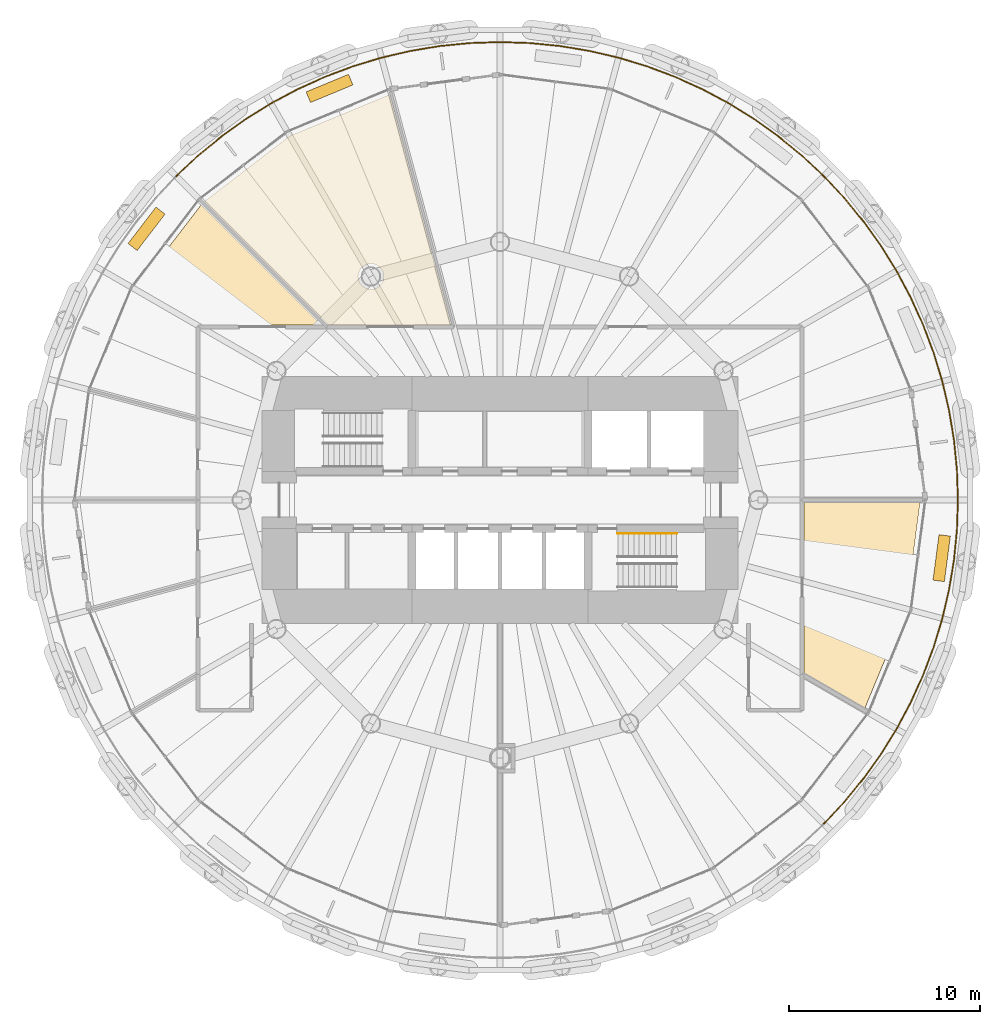
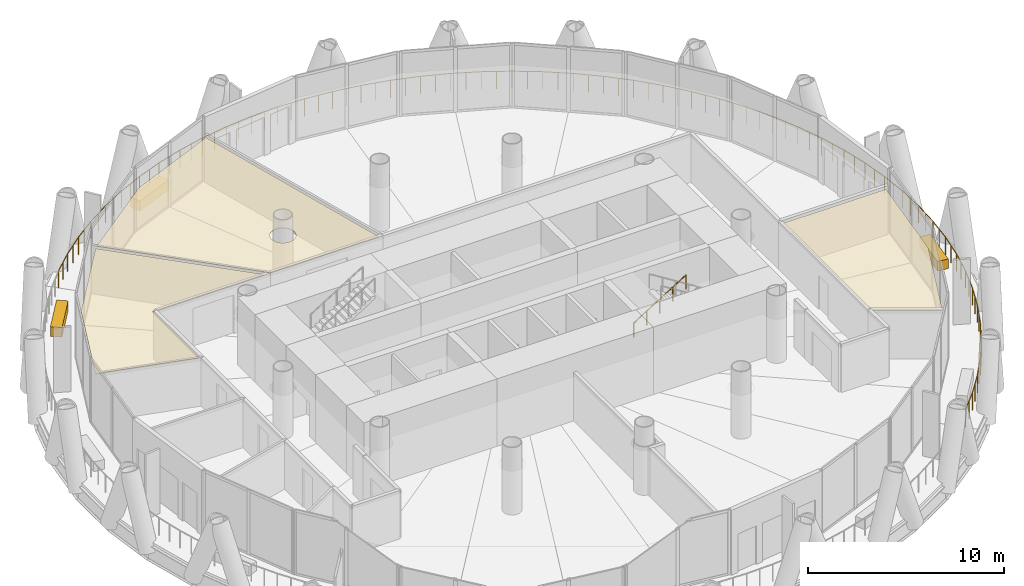
# One storey, part 14 of 15: 6 coverings, 3 railings.
"""IFC4 building model written with IfcOpenShell, lengths in metres."""

from ifc_helpers import new_model, si_unit, direction, frame, origin, origin_2d, place, context, subcontext, project, spatial, polyline, rectangle, circle, outline, extrude, material, layer, layer_set, type_object, element, save


model = new_model("IFC4")

# Units and contexts
model_context = context("Model", 3, precision=1e-05, world=origin(), true_north=direction((0.0, 1.0)))
body_context = subcontext(model_context, "Body", "Model", "MODEL_VIEW")
ifc_project = project(units=[si_unit("LENGTHUNIT", "METRE"), si_unit("AREAUNIT", "SQUARE_METRE"), si_unit("VOLUMEUNIT", "CUBIC_METRE"), si_unit("PLANEANGLEUNIT", "RADIAN"), si_unit("MASSUNIT", "GRAM", prefix="KILO")], contexts=[model_context])

# Site, building, storey
site_placement = place(None, origin())
site = spatial("IfcSite", under=ifc_project, at=site_placement, CompositionType="ELEMENT")
building_placement = place(site_placement, origin())
building = spatial("IfcBuilding", under=site, at=building_placement, Name="Qaws Media Tower", CompositionType="ELEMENT")
storey_placement = place(building_placement, frame((0.0, 0.0, 164.60009765625)))
storey = spatial("IfcBuildingStorey", under=building, at=storey_placement, Name="L37", CompositionType="ELEMENT", Elevation=164.60009765625)

# Coverings
ifc_material_1 = material(Name="40 perforated acoustic panels with mineral wool backing, suspended", Category="mineral fibre")
ifc_layer_1 = layer(ifc_material_1, 0.0400390625)
ifc_layer_set_1 = layer_set([ifc_layer_1], Name="Acoustic panel ceiling 40")
covering_type_1 = type_object("IfcCoveringType", Name="Acoustic panel ceiling 40", PredefinedType="CEILING", material=ifc_layer_set_1)
covering_1_placement = place(storey_placement, frame((0.0, 0.0, 2.849853515625)))
element("IfcCovering", 1, at=covering_1_placement, inside=storey, type_object=covering_type_1, Name="CL3 ceiling L37-03 Training room", PredefinedType="CEILING", context=body_context, shape_type="SweptSolid", body=[
    extrude(outline(polyline([(49.00732421875, 69.039794921875), (54.205078125, 71.192626953125), (57.428466796875, 59.16259765625), (50.99658203125, 59.16259765625), (44.544189453125, 65.614990234375), (49.00732421875, 69.039794921875)]), holes=[polyline([(53.8671875, 61.435791015625), (53.895263671875, 61.5185546875), (53.912353515625, 61.604248046875), (53.91796875, 61.69140625), (53.912353515625, 61.778564453125), (53.895263671875, 61.8642578125), (53.8671875, 61.947021484375), (53.82861328125, 62.025390625), (53.780029296875, 62.097900390625), (53.722412109375, 62.163818359375), (53.65673828125, 62.22119140625), (53.583984375, 62.269775390625), (53.505615234375, 62.30859375), (53.4228515625, 62.336669921875), (53.337158203125, 62.353515625), (53.25, 62.359375), (53.162841796875, 62.353515625), (53.0771484375, 62.336669921875), (52.994384765625, 62.30859375), (52.916015625, 62.269775390625), (52.84326171875, 62.22119140625), (52.777587890625, 62.163818359375), (52.719970703125, 62.097900390625), (52.67138671875, 62.025390625), (52.6328125, 61.947021484375), (52.604736328125, 61.8642578125), (52.587646484375, 61.778564453125), (52.58203125, 61.69140625), (52.587646484375, 61.604248046875), (52.604736328125, 61.5185546875), (52.6328125, 61.435791015625), (52.67138671875, 61.357421875), (52.719970703125, 61.28466796875), (52.777587890625, 61.218994140625), (52.84326171875, 61.161376953125), (52.916015625, 61.11279296875), (52.994384765625, 61.07421875), (53.0771484375, 61.046142578125), (53.162841796875, 61.029052734375), (53.25, 61.023193359375), (53.337158203125, 61.029052734375), (53.4228515625, 61.046142578125), (53.505615234375, 61.07421875), (53.583984375, 61.11279296875), (53.65673828125, 61.161376953125), (53.722412109375, 61.218994140625), (53.780029296875, 61.28466796875), (53.82861328125, 61.357421875), (53.8671875, 61.435791015625)])]), origin(), (0.0, 0.0, 1.0), 0.0400390625),
])
covering_2_placement = place(storey_placement, frame((0.0, 0.0, 2.849853515625)))
element("IfcCovering", 2, at=covering_2_placement, inside=storey, type_object=covering_type_1, Name="CL3 ceiling L37-04 Training room", PredefinedType="CEILING", context=body_context, shape_type="SweptSolid", body=[
    extrude(outline(polyline([(40.960205078125, 60.99267578125), (44.385009765625, 65.455810546875), (50.678466796875, 59.16259765625), (44.08740234375, 59.16259765625), (44.08740234375, 54.380126953125), (38.807373046875, 55.794921875), (40.960205078125, 60.99267578125)])), origin(), (0.0, 0.0, 1.0), 0.0400390625),
])

# Railings
ifc_material_2 = material(Name="Stainless steel and glass guard", Category="steel")
railing_type_1 = type_object("IfcRailingType", Name="Balcony guard 1100", PredefinedType="GUARDRAIL", material=ifc_material_2)
railing_1_placement = place(storey_placement, frame((76.935302734375, 66.935302734375, 0.0)))
element("IfcRailing", 3, at=railing_1_placement, inside=storey, type_object=railing_type_1, Name="GR1 balcony guard L37-1", PredefinedType="GUARDRAIL", context=body_context, shape_type="SweptSolid", body=[
    extrude(circle(Radius=0.02392578125, at=origin_2d()), frame((0.0, 0.0, 1.076171875), z_axis=(-0.729935409649, 0.683516128369, 0.0), x_axis=(-0.683516128369, -0.729935409649, 0.0)), (0.0, 0.0, 1.0), 1.5673828125),
    extrude(circle(Radius=0.02392578125, at=origin_2d()), frame((-1.14404296875, 1.0712890625, 1.076171875), z_axis=(-0.773026356116, 0.634373906107, 0.0), x_axis=(-0.634373906107, -0.773026356116, 0.0)), (0.0, 0.0, 1.0), 1.567138671875),
    extrude(circle(Radius=0.02392578125, at=origin_2d()), frame((-2.35546875, 2.0654296875, 1.076171875), z_axis=(-0.812785167092, 0.582563534865, 0.0), x_axis=(-0.582563534865, -0.812785167092, 0.0)), (0.0, 0.0, 1.0), 1.5673828125),
    extrude(circle(Radius=0.02392578125, at=origin_2d()), frame((-3.62939453125, 2.978515625, 1.076171875), z_axis=(-0.849247564181, 0.527994862412, 0.0), x_axis=(-0.527994862412, -0.849247564181, 0.0)), (0.0, 0.0, 1.0), 1.567138671875),
    extrude(circle(Radius=0.02392578125, at=origin_2d()), frame((-4.960205078125, 3.805908203125, 1.076171875), z_axis=(-0.881947298815, 0.47134802653, 0.0), x_axis=(-0.47134802653, -0.881947298815, 0.0)), (0.0, 0.0, 1.0), 1.5673828125),
    extrude(circle(Radius=0.02392578125, at=origin_2d()), frame((-6.342529296875, 4.544677734375, 1.076171875), z_axis=(-0.91081938696, 0.412805092431, 0.0), x_axis=(-0.412805092431, -0.91081938696, 0.0)), (0.0, 0.0, 1.0), 1.567138671875),
    extrude(circle(Radius=0.02392578125, at=origin_2d()), frame((-7.77001953125, 5.191650390625, 1.076171875), z_axis=(-0.935918820618, 0.352215787853, 0.0), x_axis=(-0.352215787853, -0.935918820618, 0.0)), (0.0, 0.0, 1.0), 1.567138671875),
    extrude(circle(Radius=0.02392578125, at=origin_2d()), frame((-9.23681640625, 5.74365234375, 1.076171875), z_axis=(-0.956916908736, 0.290361894495, 0.0), x_axis=(-0.290361894495, -0.956916908736, 0.0)), (0.0, 0.0, 1.0), 1.5673828125),
    extrude(circle(Radius=0.02392578125, at=origin_2d()), frame((-10.736572265625, 6.19873046875, 1.076171875), z_axis=(-0.973903220669, 0.226963690422, 0.0), x_axis=(-0.226963690422, -0.973903220669, 0.0)), (0.0, 0.0, 1.0), 1.5673828125),
    extrude(circle(Radius=0.02392578125, at=origin_2d()), frame((-12.262939453125, 6.554443359375, 1.076171875), z_axis=(-0.986632877104, 0.162958785639, 0.0), x_axis=(-0.162958785639, -0.986632877104, 0.0)), (0.0, 0.0, 1.0), 1.567138671875),
    extrude(circle(Radius=0.02392578125, at=origin_2d()), frame((-13.80908203125, 6.809814453125, 1.076171875), z_axis=(-0.995188700297, 0.097976787054, 0.0), x_axis=(-0.097976787054, -0.995188700297, 0.0)), (0.0, 0.0, 1.0), 1.5673828125),
    extrude(circle(Radius=0.02392578125, at=origin_2d()), frame((-15.368896484375, 6.96337890625, 1.076171875), z_axis=(-0.999464781507, 0.032713155255, 0.0), x_axis=(-0.032713155255, -0.999464781507, 0.0)), (0.0, 0.0, 1.0), 1.567138671875),
    extrude(circle(Radius=0.02392578125, at=origin_2d()), frame((-16.935302734375, 7.0146484375, 1.076171875), z_axis=(-0.999464781507, -0.032713155255, 0.0), x_axis=(0.032713155255, -0.999464781507, 0.0)), (0.0, 0.0, 1.0), 1.567138671875),
    extrude(circle(Radius=0.02392578125, at=origin_2d()), frame((-18.501708984375, 6.96337890625, 1.076171875), z_axis=(-0.995188700297, -0.097976787054, 0.0), x_axis=(0.097976787054, -0.995188700297, 0.0)), (0.0, 0.0, 1.0), 1.5673828125),
    extrude(circle(Radius=0.02392578125, at=origin_2d()), frame((-20.0615234375, 6.809814453125, 1.076171875), z_axis=(-0.986632877104, -0.162958785639, 0.0), x_axis=(0.162958785639, -0.986632877104, 0.0)), (0.0, 0.0, 1.0), 1.567138671875),
    extrude(circle(Radius=0.02392578125, at=origin_2d()), frame((-21.607666015625, 6.554443359375, 1.076171875), z_axis=(-0.973903220669, -0.226963690422, 0.0), x_axis=(0.226963690422, -0.973903220669, 0.0)), (0.0, 0.0, 1.0), 1.5673828125),
    extrude(circle(Radius=0.02392578125, at=origin_2d()), frame((-23.134033203125, 6.19873046875, 1.076171875), z_axis=(-0.956916908736, -0.290361894495, 0.0), x_axis=(0.290361894495, -0.956916908736, 0.0)), (0.0, 0.0, 1.0), 1.5673828125),
    extrude(circle(Radius=0.02392578125, at=origin_2d()), frame((-24.6337890625, 5.74365234375, 1.076171875), z_axis=(-0.935918820618, -0.352215787853, 0.0), x_axis=(0.352215787853, -0.935918820618, 0.0)), (0.0, 0.0, 1.0), 1.567138671875),
    extrude(circle(Radius=0.02392578125, at=origin_2d()), frame((-26.1005859375, 5.191650390625, 1.076171875), z_axis=(-0.91081938696, -0.412805092431, 0.0), x_axis=(0.412805092431, -0.91081938696, 0.0)), (0.0, 0.0, 1.0), 1.567138671875),
    extrude(circle(Radius=0.02392578125, at=origin_2d()), frame((-27.528076171875, 4.544677734375, 1.076171875), z_axis=(-0.881947298815, -0.47134802653, 0.0), x_axis=(0.47134802653, -0.881947298815, 0.0)), (0.0, 0.0, 1.0), 1.5673828125),
    extrude(circle(Radius=0.02392578125, at=origin_2d()), frame((-28.910400390625, 3.805908203125, 1.076171875), z_axis=(-0.849247564181, -0.527994862412, 0.0), x_axis=(0.527994862412, -0.849247564181, 0.0)), (0.0, 0.0, 1.0), 1.567138671875),
    extrude(circle(Radius=0.02392578125, at=origin_2d()), frame((-30.2412109375, 2.978515625, 1.076171875), z_axis=(-0.812785167092, -0.582563534865, 0.0), x_axis=(0.582563534865, -0.812785167092, 0.0)), (0.0, 0.0, 1.0), 1.5673828125),
    extrude(circle(Radius=0.02392578125, at=origin_2d()), frame((-31.51513671875, 2.0654296875, 1.076171875), z_axis=(-0.773026356116, -0.634373906107, 0.0), x_axis=(0.634373906107, -0.773026356116, 0.0)), (0.0, 0.0, 1.0), 1.567138671875),
    extrude(circle(Radius=0.02392578125, at=origin_2d()), frame((-32.7265625, 1.0712890625, 1.076171875), z_axis=(-0.729935409649, -0.683516128369, 0.0), x_axis=(0.683516128369, -0.729935409649, 0.0)), (0.0, 0.0, 1.0), 1.5673828125),
    extrude(circle(Radius=0.02099609375, at=origin_2d()), origin(), (0.0, 0.0, 1.0), 1.052001953125),
    extrude(circle(Radius=0.02099609375, at=origin_2d()), frame((-0.572021484375, 0.53564453125, 0.0)), (0.0, 0.0, 1.0), 1.052001953125),
    extrude(circle(Radius=0.02099609375, at=origin_2d()), frame((-1.14404296875, 1.0712890625, 0.0)), (0.0, 0.0, 1.0), 1.052001953125),
    extrude(circle(Radius=0.02099609375, at=origin_2d()), frame((-1.749755859375, 1.568359375, 0.0)), (0.0, 0.0, 1.0), 1.052001953125),
    extrude(circle(Radius=0.02099609375, at=origin_2d()), frame((-2.35546875, 2.0654296875, 0.0)), (0.0, 0.0, 1.0), 1.052001953125),
    extrude(circle(Radius=0.02099609375, at=origin_2d()), frame((-2.992431640625, 2.52197265625, 0.0)), (0.0, 0.0, 1.0), 1.052001953125),
    extrude(circle(Radius=0.02099609375, at=origin_2d()), frame((-3.62939453125, 2.978515625, 0.0)), (0.0, 0.0, 1.0), 1.052001953125),
    extrude(circle(Radius=0.02099609375, at=origin_2d()), frame((-4.294921875, 3.39208984375, 0.0)), (0.0, 0.0, 1.0), 1.052001953125),
    extrude(circle(Radius=0.02099609375, at=origin_2d()), frame((-4.960205078125, 3.805908203125, 0.0)), (0.0, 0.0, 1.0), 1.052001953125),
    extrude(circle(Radius=0.02099609375, at=origin_2d()), frame((-5.6513671875, 4.17529296875, 0.0)), (0.0, 0.0, 1.0), 1.052001953125),
    extrude(circle(Radius=0.02099609375, at=origin_2d()), frame((-6.342529296875, 4.544677734375, 0.0)), (0.0, 0.0, 1.0), 1.052001953125),
    extrude(circle(Radius=0.02099609375, at=origin_2d()), frame((-7.05615234375, 4.8681640625, 0.0)), (0.0, 0.0, 1.0), 1.052001953125),
    extrude(circle(Radius=0.02099609375, at=origin_2d()), frame((-7.77001953125, 5.191650390625, 0.0)), (0.0, 0.0, 1.0), 1.052001953125),
    extrude(circle(Radius=0.02099609375, at=origin_2d()), frame((-8.50341796875, 5.4677734375, 0.0)), (0.0, 0.0, 1.0), 1.052001953125),
    extrude(circle(Radius=0.02099609375, at=origin_2d()), frame((-9.23681640625, 5.74365234375, 0.0)), (0.0, 0.0, 1.0), 1.052001953125),
    extrude(circle(Radius=0.02099609375, at=origin_2d()), frame((-9.98681640625, 5.97119140625, 0.0)), (0.0, 0.0, 1.0), 1.052001953125),
    extrude(circle(Radius=0.02099609375, at=origin_2d()), frame((-10.736572265625, 6.19873046875, 0.0)), (0.0, 0.0, 1.0), 1.052001953125),
    extrude(circle(Radius=0.02099609375, at=origin_2d()), frame((-11.499755859375, 6.37646484375, 0.0)), (0.0, 0.0, 1.0), 1.052001953125),
    extrude(circle(Radius=0.02099609375, at=origin_2d()), frame((-12.262939453125, 6.554443359375, 0.0)), (0.0, 0.0, 1.0), 1.052001953125),
    extrude(circle(Radius=0.02099609375, at=origin_2d()), frame((-13.0361328125, 6.68212890625, 0.0)), (0.0, 0.0, 1.0), 1.052001953125),
    extrude(circle(Radius=0.02099609375, at=origin_2d()), frame((-13.80908203125, 6.809814453125, 0.0)), (0.0, 0.0, 1.0), 1.052001953125),
    extrude(circle(Radius=0.02099609375, at=origin_2d()), frame((-14.5888671875, 6.88671875, 0.0)), (0.0, 0.0, 1.0), 1.052001953125),
    extrude(circle(Radius=0.02099609375, at=origin_2d()), frame((-15.368896484375, 6.96337890625, 0.0)), (0.0, 0.0, 1.0), 1.052001953125),
    extrude(circle(Radius=0.02099609375, at=origin_2d()), frame((-16.152099609375, 6.989013671875, 0.0)), (0.0, 0.0, 1.0), 1.052001953125),
    extrude(circle(Radius=0.02099609375, at=origin_2d()), frame((-16.935302734375, 7.0146484375, 0.0)), (0.0, 0.0, 1.0), 1.052001953125),
    extrude(circle(Radius=0.02099609375, at=origin_2d()), frame((-17.718505859375, 6.989013671875, 0.0)), (0.0, 0.0, 1.0), 1.052001953125),
    extrude(circle(Radius=0.02099609375, at=origin_2d()), frame((-18.501708984375, 6.96337890625, 0.0)), (0.0, 0.0, 1.0), 1.052001953125),
    extrude(circle(Radius=0.02099609375, at=origin_2d()), frame((-19.28173828125, 6.88671875, 0.0)), (0.0, 0.0, 1.0), 1.052001953125),
    extrude(circle(Radius=0.02099609375, at=origin_2d()), frame((-20.0615234375, 6.809814453125, 0.0)), (0.0, 0.0, 1.0), 1.052001953125),
    extrude(circle(Radius=0.02099609375, at=origin_2d()), frame((-20.83447265625, 6.68212890625, 0.0)), (0.0, 0.0, 1.0), 1.052001953125),
    extrude(circle(Radius=0.02099609375, at=origin_2d()), frame((-21.607666015625, 6.554443359375, 0.0)), (0.0, 0.0, 1.0), 1.052001953125),
    extrude(circle(Radius=0.02099609375, at=origin_2d()), frame((-22.370849609375, 6.37646484375, 0.0)), (0.0, 0.0, 1.0), 1.052001953125),
    extrude(circle(Radius=0.02099609375, at=origin_2d()), frame((-23.134033203125, 6.19873046875, 0.0)), (0.0, 0.0, 1.0), 1.052001953125),
    extrude(circle(Radius=0.02099609375, at=origin_2d()), frame((-23.8837890625, 5.97119140625, 0.0)), (0.0, 0.0, 1.0), 1.052001953125),
    extrude(circle(Radius=0.02099609375, at=origin_2d()), frame((-24.6337890625, 5.74365234375, 0.0)), (0.0, 0.0, 1.0), 1.052001953125),
    extrude(circle(Radius=0.02099609375, at=origin_2d()), frame((-25.3671875, 5.4677734375, 0.0)), (0.0, 0.0, 1.0), 1.052001953125),
    extrude(circle(Radius=0.02099609375, at=origin_2d()), frame((-26.1005859375, 5.191650390625, 0.0)), (0.0, 0.0, 1.0), 1.052001953125),
    extrude(circle(Radius=0.02099609375, at=origin_2d()), frame((-26.814453125, 4.8681640625, 0.0)), (0.0, 0.0, 1.0), 1.052001953125),
    extrude(circle(Radius=0.02099609375, at=origin_2d()), frame((-27.528076171875, 4.544677734375, 0.0)), (0.0, 0.0, 1.0), 1.052001953125),
    extrude(circle(Radius=0.02099609375, at=origin_2d()), frame((-28.21923828125, 4.17529296875, 0.0)), (0.0, 0.0, 1.0), 1.052001953125),
    extrude(circle(Radius=0.02099609375, at=origin_2d()), frame((-28.910400390625, 3.805908203125, 0.0)), (0.0, 0.0, 1.0), 1.052001953125),
    extrude(circle(Radius=0.02099609375, at=origin_2d()), frame((-29.57568359375, 3.39208984375, 0.0)), (0.0, 0.0, 1.0), 1.052001953125),
    extrude(circle(Radius=0.02099609375, at=origin_2d()), frame((-30.2412109375, 2.978515625, 0.0)), (0.0, 0.0, 1.0), 1.052001953125),
    extrude(circle(Radius=0.02099609375, at=origin_2d()), frame((-30.878173828125, 2.52197265625, 0.0)), (0.0, 0.0, 1.0), 1.052001953125),
    extrude(circle(Radius=0.02099609375, at=origin_2d()), frame((-31.51513671875, 2.0654296875, 0.0)), (0.0, 0.0, 1.0), 1.052001953125),
    extrude(circle(Radius=0.02099609375, at=origin_2d()), frame((-32.120849609375, 1.568359375, 0.0)), (0.0, 0.0, 1.0), 1.052001953125),
    extrude(circle(Radius=0.02099609375, at=origin_2d()), frame((-32.7265625, 1.0712890625, 0.0)), (0.0, 0.0, 1.0), 1.052001953125),
    extrude(circle(Radius=0.02099609375, at=origin_2d()), frame((-33.298583984375, 0.53564453125, 0.0)), (0.0, 0.0, 1.0), 1.052001953125),
    extrude(circle(Radius=0.02099609375, at=origin_2d()), frame((-33.87060546875, 0.0, 0.0)), (0.0, 0.0, 1.0), 1.052001953125),
])
railing_2_placement = place(storey_placement, frame((76.935302734375, 33.064697265625, 0.0)))
element("IfcRailing", 4, at=railing_2_placement, inside=storey, type_object=railing_type_1, Name="GR1 balcony guard L37-4", PredefinedType="GUARDRAIL", context=body_context, shape_type="SweptSolid", body=[
    extrude(circle(Radius=0.02392578125, at=origin_2d()), frame((0.0, 0.0, 1.076171875), z_axis=(0.683516128369, 0.729935409649, 0.0), x_axis=(-0.729935409649, 0.683516128369, 0.0)), (0.0, 0.0, 1.0), 1.5673828125),
    extrude(circle(Radius=0.02392578125, at=origin_2d()), frame((1.0712890625, 1.14404296875, 1.076171875), z_axis=(0.634373906107, 0.773026356116, 0.0), x_axis=(-0.773026356116, 0.634373906107, 0.0)), (0.0, 0.0, 1.0), 1.567138671875),
    extrude(circle(Radius=0.02392578125, at=origin_2d()), frame((2.0654296875, 2.35546875, 1.076171875), z_axis=(0.582563534865, 0.812785167092, 0.0), x_axis=(-0.812785167092, 0.582563534865, 0.0)), (0.0, 0.0, 1.0), 1.5673828125),
    extrude(circle(Radius=0.02392578125, at=origin_2d()), frame((2.978515625, 3.62939453125, 1.076171875), z_axis=(0.527994862412, 0.849247564181, 0.0), x_axis=(-0.849247564181, 0.527994862412, 0.0)), (0.0, 0.0, 1.0), 1.567138671875),
    extrude(circle(Radius=0.02392578125, at=origin_2d()), frame((3.805908203125, 4.960205078125, 1.076171875), z_axis=(0.47134802653, 0.881947298815, 0.0), x_axis=(-0.881947298815, 0.47134802653, 0.0)), (0.0, 0.0, 1.0), 1.5673828125),
    extrude(circle(Radius=0.02392578125, at=origin_2d()), frame((4.544677734375, 6.342529296875, 1.076171875), z_axis=(0.412805092431, 0.91081938696, 0.0), x_axis=(-0.91081938696, 0.412805092431, 0.0)), (0.0, 0.0, 1.0), 1.567138671875),
    extrude(circle(Radius=0.02392578125, at=origin_2d()), frame((5.191650390625, 7.77001953125, 1.076171875), z_axis=(0.352215787853, 0.935918820618, 0.0), x_axis=(-0.935918820618, 0.352215787853, 0.0)), (0.0, 0.0, 1.0), 1.567138671875),
    extrude(circle(Radius=0.02392578125, at=origin_2d()), frame((5.74365234375, 9.23681640625, 1.076171875), z_axis=(0.290361894495, 0.956916908736, 0.0), x_axis=(-0.956916908736, 0.290361894495, 0.0)), (0.0, 0.0, 1.0), 1.5673828125),
    extrude(circle(Radius=0.02392578125, at=origin_2d()), frame((6.19873046875, 10.736572265625, 1.076171875), z_axis=(0.226963690422, 0.973903220669, 0.0), x_axis=(-0.973903220669, 0.226963690422, 0.0)), (0.0, 0.0, 1.0), 1.5673828125),
    extrude(circle(Radius=0.02392578125, at=origin_2d()), frame((6.554443359375, 12.262939453125, 1.076171875), z_axis=(0.162958785639, 0.986632877104, 0.0), x_axis=(-0.986632877104, 0.162958785639, 0.0)), (0.0, 0.0, 1.0), 1.567138671875),
    extrude(circle(Radius=0.02392578125, at=origin_2d()), frame((6.809814453125, 13.80908203125, 1.076171875), z_axis=(0.097976787054, 0.995188700297, 0.0), x_axis=(-0.995188700297, 0.097976787054, 0.0)), (0.0, 0.0, 1.0), 1.5673828125),
    extrude(circle(Radius=0.02392578125, at=origin_2d()), frame((6.96337890625, 15.368896484375, 1.076171875), z_axis=(0.032713155255, 0.999464781507, 0.0), x_axis=(-0.999464781507, 0.032713155255, 0.0)), (0.0, 0.0, 1.0), 1.567138671875),
    extrude(circle(Radius=0.02392578125, at=origin_2d()), frame((7.0146484375, 16.935302734375, 1.076171875), z_axis=(-0.032713155255, 0.999464781507, 0.0), x_axis=(-0.999464781507, -0.032713155255, 0.0)), (0.0, 0.0, 1.0), 1.567138671875),
    extrude(circle(Radius=0.02392578125, at=origin_2d()), frame((6.96337890625, 18.501708984375, 1.076171875), z_axis=(-0.097976787054, 0.995188700297, 0.0), x_axis=(-0.995188700297, -0.097976787054, 0.0)), (0.0, 0.0, 1.0), 1.5673828125),
    extrude(circle(Radius=0.02392578125, at=origin_2d()), frame((6.809814453125, 20.0615234375, 1.076171875), z_axis=(-0.162958785639, 0.986632877104, 0.0), x_axis=(-0.986632877104, -0.162958785639, 0.0)), (0.0, 0.0, 1.0), 1.567138671875),
    extrude(circle(Radius=0.02392578125, at=origin_2d()), frame((6.554443359375, 21.607666015625, 1.076171875), z_axis=(-0.226963690422, 0.973903220669, 0.0), x_axis=(-0.973903220669, -0.226963690422, 0.0)), (0.0, 0.0, 1.0), 1.5673828125),
    extrude(circle(Radius=0.02392578125, at=origin_2d()), frame((6.19873046875, 23.134033203125, 1.076171875), z_axis=(-0.290361894495, 0.956916908736, 0.0), x_axis=(-0.956916908736, -0.290361894495, 0.0)), (0.0, 0.0, 1.0), 1.5673828125),
    extrude(circle(Radius=0.02392578125, at=origin_2d()), frame((5.74365234375, 24.6337890625, 1.076171875), z_axis=(-0.352215787853, 0.935918820618, 0.0), x_axis=(-0.935918820618, -0.352215787853, 0.0)), (0.0, 0.0, 1.0), 1.567138671875),
    extrude(circle(Radius=0.02392578125, at=origin_2d()), frame((5.191650390625, 26.1005859375, 1.076171875), z_axis=(-0.412805092431, 0.91081938696, 0.0), x_axis=(-0.91081938696, -0.412805092431, 0.0)), (0.0, 0.0, 1.0), 1.567138671875),
    extrude(circle(Radius=0.02392578125, at=origin_2d()), frame((4.544677734375, 27.528076171875, 1.076171875), z_axis=(-0.47134802653, 0.881947298815, 0.0), x_axis=(-0.881947298815, -0.47134802653, 0.0)), (0.0, 0.0, 1.0), 1.5673828125),
    extrude(circle(Radius=0.02392578125, at=origin_2d()), frame((3.805908203125, 28.910400390625, 1.076171875), z_axis=(-0.527994862412, 0.849247564181, 0.0), x_axis=(-0.849247564181, -0.527994862412, 0.0)), (0.0, 0.0, 1.0), 1.567138671875),
    extrude(circle(Radius=0.02392578125, at=origin_2d()), frame((2.978515625, 30.2412109375, 1.076171875), z_axis=(-0.582563534865, 0.812785167092, 0.0), x_axis=(-0.812785167092, -0.582563534865, 0.0)), (0.0, 0.0, 1.0), 1.5673828125),
    extrude(circle(Radius=0.02392578125, at=origin_2d()), frame((2.0654296875, 31.51513671875, 1.076171875), z_axis=(-0.634373906107, 0.773026356116, 0.0), x_axis=(-0.773026356116, -0.634373906107, 0.0)), (0.0, 0.0, 1.0), 1.567138671875),
    extrude(circle(Radius=0.02392578125, at=origin_2d()), frame((1.0712890625, 32.7265625, 1.076171875), z_axis=(-0.683516128369, 0.729935409649, 0.0), x_axis=(-0.729935409649, -0.683516128369, 0.0)), (0.0, 0.0, 1.0), 1.5673828125),
    extrude(circle(Radius=0.02099609375, at=origin_2d()), origin(), (0.0, 0.0, 1.0), 1.052001953125),
    extrude(circle(Radius=0.02099609375, at=origin_2d()), frame((0.53564453125, 0.572021484375, 0.0)), (0.0, 0.0, 1.0), 1.052001953125),
    extrude(circle(Radius=0.02099609375, at=origin_2d()), frame((1.0712890625, 1.14404296875, 0.0)), (0.0, 0.0, 1.0), 1.052001953125),
    extrude(circle(Radius=0.02099609375, at=origin_2d()), frame((1.568359375, 1.749755859375, 0.0)), (0.0, 0.0, 1.0), 1.052001953125),
    extrude(circle(Radius=0.02099609375, at=origin_2d()), frame((2.0654296875, 2.35546875, 0.0)), (0.0, 0.0, 1.0), 1.052001953125),
    extrude(circle(Radius=0.02099609375, at=origin_2d()), frame((2.52197265625, 2.992431640625, 0.0)), (0.0, 0.0, 1.0), 1.052001953125),
    extrude(circle(Radius=0.02099609375, at=origin_2d()), frame((2.978515625, 3.62939453125, 0.0)), (0.0, 0.0, 1.0), 1.052001953125),
    extrude(circle(Radius=0.02099609375, at=origin_2d()), frame((3.39208984375, 4.294921875, 0.0)), (0.0, 0.0, 1.0), 1.052001953125),
    extrude(circle(Radius=0.02099609375, at=origin_2d()), frame((3.805908203125, 4.960205078125, 0.0)), (0.0, 0.0, 1.0), 1.052001953125),
    extrude(circle(Radius=0.02099609375, at=origin_2d()), frame((4.17529296875, 5.6513671875, 0.0)), (0.0, 0.0, 1.0), 1.052001953125),
    extrude(circle(Radius=0.02099609375, at=origin_2d()), frame((4.544677734375, 6.342529296875, 0.0)), (0.0, 0.0, 1.0), 1.052001953125),
    extrude(circle(Radius=0.02099609375, at=origin_2d()), frame((4.8681640625, 7.05615234375, 0.0)), (0.0, 0.0, 1.0), 1.052001953125),
    extrude(circle(Radius=0.02099609375, at=origin_2d()), frame((5.191650390625, 7.77001953125, 0.0)), (0.0, 0.0, 1.0), 1.052001953125),
    extrude(circle(Radius=0.02099609375, at=origin_2d()), frame((5.4677734375, 8.50341796875, 0.0)), (0.0, 0.0, 1.0), 1.052001953125),
    extrude(circle(Radius=0.02099609375, at=origin_2d()), frame((5.74365234375, 9.23681640625, 0.0)), (0.0, 0.0, 1.0), 1.052001953125),
    extrude(circle(Radius=0.02099609375, at=origin_2d()), frame((5.97119140625, 9.98681640625, 0.0)), (0.0, 0.0, 1.0), 1.052001953125),
    extrude(circle(Radius=0.02099609375, at=origin_2d()), frame((6.19873046875, 10.736572265625, 0.0)), (0.0, 0.0, 1.0), 1.052001953125),
    extrude(circle(Radius=0.02099609375, at=origin_2d()), frame((6.37646484375, 11.499755859375, 0.0)), (0.0, 0.0, 1.0), 1.052001953125),
    extrude(circle(Radius=0.02099609375, at=origin_2d()), frame((6.554443359375, 12.262939453125, 0.0)), (0.0, 0.0, 1.0), 1.052001953125),
    extrude(circle(Radius=0.02099609375, at=origin_2d()), frame((6.68212890625, 13.0361328125, 0.0)), (0.0, 0.0, 1.0), 1.052001953125),
    extrude(circle(Radius=0.02099609375, at=origin_2d()), frame((6.809814453125, 13.80908203125, 0.0)), (0.0, 0.0, 1.0), 1.052001953125),
    extrude(circle(Radius=0.02099609375, at=origin_2d()), frame((6.88671875, 14.5888671875, 0.0)), (0.0, 0.0, 1.0), 1.052001953125),
    extrude(circle(Radius=0.02099609375, at=origin_2d()), frame((6.96337890625, 15.368896484375, 0.0)), (0.0, 0.0, 1.0), 1.052001953125),
    extrude(circle(Radius=0.02099609375, at=origin_2d()), frame((6.989013671875, 16.152099609375, 0.0)), (0.0, 0.0, 1.0), 1.052001953125),
    extrude(circle(Radius=0.02099609375, at=origin_2d()), frame((7.0146484375, 16.935302734375, 0.0)), (0.0, 0.0, 1.0), 1.052001953125),
    extrude(circle(Radius=0.02099609375, at=origin_2d()), frame((6.989013671875, 17.718505859375, 0.0)), (0.0, 0.0, 1.0), 1.052001953125),
    extrude(circle(Radius=0.02099609375, at=origin_2d()), frame((6.96337890625, 18.501708984375, 0.0)), (0.0, 0.0, 1.0), 1.052001953125),
    extrude(circle(Radius=0.02099609375, at=origin_2d()), frame((6.88671875, 19.28173828125, 0.0)), (0.0, 0.0, 1.0), 1.052001953125),
    extrude(circle(Radius=0.02099609375, at=origin_2d()), frame((6.809814453125, 20.0615234375, 0.0)), (0.0, 0.0, 1.0), 1.052001953125),
    extrude(circle(Radius=0.02099609375, at=origin_2d()), frame((6.68212890625, 20.83447265625, 0.0)), (0.0, 0.0, 1.0), 1.052001953125),
    extrude(circle(Radius=0.02099609375, at=origin_2d()), frame((6.554443359375, 21.607666015625, 0.0)), (0.0, 0.0, 1.0), 1.052001953125),
    extrude(circle(Radius=0.02099609375, at=origin_2d()), frame((6.37646484375, 22.370849609375, 0.0)), (0.0, 0.0, 1.0), 1.052001953125),
    extrude(circle(Radius=0.02099609375, at=origin_2d()), frame((6.19873046875, 23.134033203125, 0.0)), (0.0, 0.0, 1.0), 1.052001953125),
    extrude(circle(Radius=0.02099609375, at=origin_2d()), frame((5.97119140625, 23.8837890625, 0.0)), (0.0, 0.0, 1.0), 1.052001953125),
    extrude(circle(Radius=0.02099609375, at=origin_2d()), frame((5.74365234375, 24.6337890625, 0.0)), (0.0, 0.0, 1.0), 1.052001953125),
    extrude(circle(Radius=0.02099609375, at=origin_2d()), frame((5.4677734375, 25.3671875, 0.0)), (0.0, 0.0, 1.0), 1.052001953125),
    extrude(circle(Radius=0.02099609375, at=origin_2d()), frame((5.191650390625, 26.1005859375, 0.0)), (0.0, 0.0, 1.0), 1.052001953125),
    extrude(circle(Radius=0.02099609375, at=origin_2d()), frame((4.8681640625, 26.814453125, 0.0)), (0.0, 0.0, 1.0), 1.052001953125),
    extrude(circle(Radius=0.02099609375, at=origin_2d()), frame((4.544677734375, 27.528076171875, 0.0)), (0.0, 0.0, 1.0), 1.052001953125),
    extrude(circle(Radius=0.02099609375, at=origin_2d()), frame((4.17529296875, 28.21923828125, 0.0)), (0.0, 0.0, 1.0), 1.052001953125),
    extrude(circle(Radius=0.02099609375, at=origin_2d()), frame((3.805908203125, 28.910400390625, 0.0)), (0.0, 0.0, 1.0), 1.052001953125),
    extrude(circle(Radius=0.02099609375, at=origin_2d()), frame((3.39208984375, 29.57568359375, 0.0)), (0.0, 0.0, 1.0), 1.052001953125),
    extrude(circle(Radius=0.02099609375, at=origin_2d()), frame((2.978515625, 30.2412109375, 0.0)), (0.0, 0.0, 1.0), 1.052001953125),
    extrude(circle(Radius=0.02099609375, at=origin_2d()), frame((2.52197265625, 30.878173828125, 0.0)), (0.0, 0.0, 1.0), 1.052001953125),
    extrude(circle(Radius=0.02099609375, at=origin_2d()), frame((2.0654296875, 31.51513671875, 0.0)), (0.0, 0.0, 1.0), 1.052001953125),
    extrude(circle(Radius=0.02099609375, at=origin_2d()), frame((1.568359375, 32.120849609375, 0.0)), (0.0, 0.0, 1.0), 1.052001953125),
    extrude(circle(Radius=0.02099609375, at=origin_2d()), frame((1.0712890625, 32.7265625, 0.0)), (0.0, 0.0, 1.0), 1.052001953125),
    extrude(circle(Radius=0.02099609375, at=origin_2d()), frame((0.53564453125, 33.298583984375, 0.0)), (0.0, 0.0, 1.0), 1.052001953125),
    extrude(circle(Radius=0.02099609375, at=origin_2d()), frame((0.0, 33.87060546875, 0.0)), (0.0, 0.0, 1.0), 1.052001953125),
])

# Coverings
ifc_material_3 = material(Name="600 x 600 mineral fibre tiles in exposed grid, suspended", Category="mineral fibre")
ifc_layer_2 = layer(ifc_material_3, 0.02001953125)
ifc_layer_set_2 = layer_set([ifc_layer_2], Name="Mineral fibre tile ceiling 20")
covering_type_2 = type_object("IfcCoveringType", Name="Mineral fibre tile ceiling 20", PredefinedType="CEILING", material=ifc_layer_set_2)
covering_3_placement = place(storey_placement, frame((0.0, 0.0, 2.849853515625)))
element("IfcCovering", 5, at=covering_3_placement, inside=storey, type_object=covering_type_2, Name="CL1 ceiling L37-10 HR office", PredefinedType="CEILING", context=body_context, shape_type="SweptSolid", body=[
    extrude(outline(polyline([(81.236083984375, 44.309814453125), (79.083251953125, 39.1123046875), (75.91259765625, 40.94287109375), (75.91259765625, 49.887451171875), (81.970458984375, 49.887451171875), (81.236083984375, 44.309814453125)])), origin(), (0.0, 0.0, 1.0), 0.02001953125),
])
ifc_material_4 = material(Name="Precast concrete planter with trailing planting", Category="concrete")
ifc_layer_3 = layer(ifc_material_4, 0.60009765625)
ifc_layer_set_3 = layer_set([ifc_layer_3], Name="Planter 2400x600")
covering_type_3 = type_object("IfcCoveringType", Name="Planter 2400x600", PredefinedType="USERDEFINED", material=ifc_layer_set_3)
for number, where, z_axis, x_axis, name in (
    (6, (51.08349609375, 71.5263671875, -0.000244140625), (0.0, 0.0, 1.0), (-0.923879532511, -0.382683432365, 0.0), "PL1 balcony planter L37-04"),
    (7, (41.514892578125, 64.18408203125, -0.000244140625), (0.0, 0.0, 1.0), (-0.608761429009, -0.793353340291, 0.0), "PL1 balcony planter L37-05"),
    (8, (83.1005859375, 46.958740234375, -0.000244140625), (0.0, 0.0, 1.0), (0.13052619222, 0.991444861374, 0.0), "PL1 balcony planter L37-12"),
):
    element("IfcCovering", number, at=place(storey_placement, frame(where, z_axis=z_axis, x_axis=x_axis)), inside=storey, type_object=covering_type_3, Name=name, ObjectType="PLANTER", PredefinedType="USERDEFINED", context=body_context, shape_type="SweptSolid", body=[
        extrude(rectangle(XDim=2.39990234375, YDim=0.60009765625, at=origin_2d()), origin(), (0.0, 0.0, 1.0), 0.60009765625),
    ])

# Railing
ifc_material_5 = material(Name="Steel tube handrail", Category="steel")
railing_type_2 = type_object("IfcRailingType", Name="Stair handrail 900", PredefinedType="HANDRAIL", material=ifc_material_5)
railing_3_placement = place(storey_placement, frame((66.159912109375, 48.25, 0.1748046875)))
element("IfcRailing", 9, at=railing_3_placement, inside=storey, type_object=railing_type_2, Name="HR1 handrail S2 flight 1 L37", PredefinedType="HANDRAIL", context=body_context, shape_type="SweptSolid", body=[
    extrude(circle(Radius=0.02392578125, at=origin_2d()), frame((0.0, 0.0, 0.8759765625), z_axis=(0.847998304005, 0.0, 0.529998940003), x_axis=(0.0, 1.0, 0.0)), (0.0, 0.0, 1.0), 3.632080078125),
    extrude(circle(Radius=0.02099609375, at=origin_2d()), origin(), (0.0, 0.0, 1.0), 0.851806640625),
    extrude(circle(Radius=0.02099609375, at=origin_2d()), frame((0.77001953125, 0.0, 0.481201171875)), (0.0, 0.0, 1.0), 0.851806640625),
    extrude(circle(Radius=0.02099609375, at=origin_2d()), frame((1.5400390625, 0.0, 0.96240234375)), (0.0, 0.0, 1.0), 0.851806640625),
    extrude(circle(Radius=0.02099609375, at=origin_2d()), frame((2.31005859375, 0.0, 1.44384765625)), (0.0, 0.0, 1.0), 0.851806640625),
    extrude(circle(Radius=0.02099609375, at=origin_2d()), frame((3.080078125, 0.0, 1.925048828125)), (0.0, 0.0, 1.0), 0.851806640625),
])

save(model, "model.ifc")
